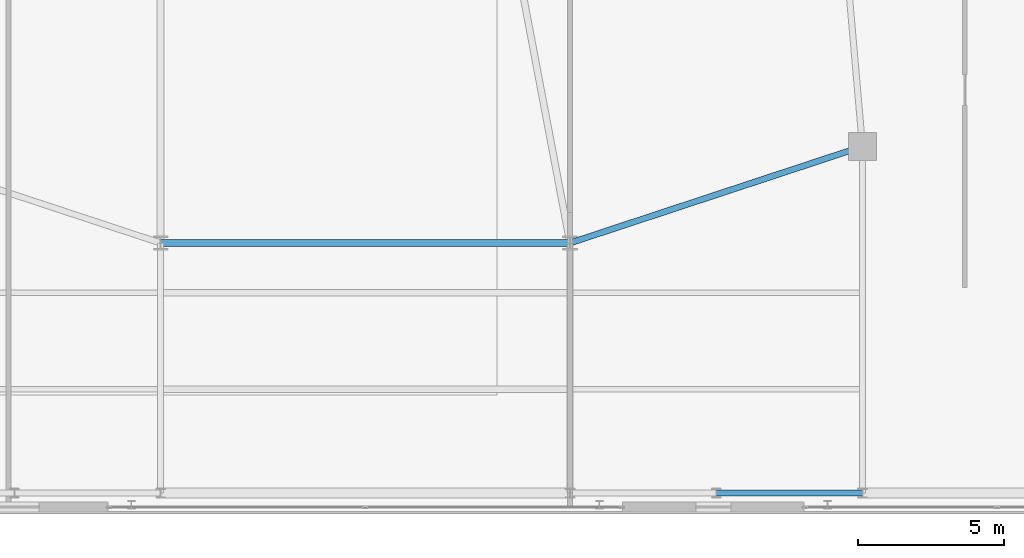
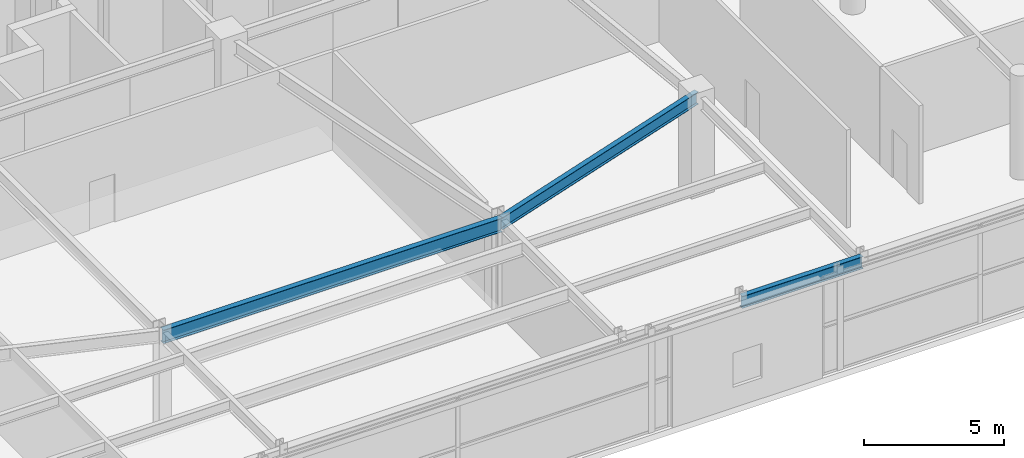
# One storey, part 15 of 26: 3 beams.
"""IFC4 building model written with IfcOpenShell, lengths in metres."""

from ifc_helpers import new_model, si_unit, direction, frame, origin, origin_2d, place, context, subcontext, project, spatial, i_section, extrude, source, transform, mapped, material, material_profile, profile_set, type_object, element, save


model = new_model("IFC4")

# Units and contexts
model_context = context("Model", 3, precision=1e-05, world=origin(), true_north=direction((0.0, 1.0)))
body_context = subcontext(model_context, "Body", "Model", "MODEL_VIEW")
ifc_project = project(units=[si_unit("LENGTHUNIT", "METRE"), si_unit("AREAUNIT", "SQUARE_METRE"), si_unit("VOLUMEUNIT", "CUBIC_METRE"), si_unit("PLANEANGLEUNIT", "RADIAN"), si_unit("MASSUNIT", "GRAM", prefix="KILO")], contexts=[model_context])

# Site, building, storey
site_placement = place(None, origin())
site = spatial("IfcSite", under=ifc_project, at=site_placement, CompositionType="ELEMENT")
building_placement = place(site_placement, origin())
building = spatial("IfcBuilding", under=site, at=building_placement, Name="Taldren Reach Tower", CompositionType="ELEMENT")
storey_placement = place(building_placement, frame((0.0, 0.0, 8.39990234375)))
storey = spatial("IfcBuildingStorey", under=building, at=storey_placement, Name="L02", CompositionType="ELEMENT", Elevation=8.39990234375)

# Beams
ifc_material = material(Name="Steel Gr 350 (350PLUS)", Category="steel")
ifc_material_profile_1 = material_profile(ifc_material, i_section(OverallWidth=0.208984375, OverallDepth=0.532958984375, WebThickness=0.01025390625, FlangeThickness=0.015625, at=origin_2d()), Name="530UB92.4")
ifc_profile_set_1 = profile_set([ifc_material_profile_1], Name="Steel Gr 350 (350PLUS)")
beam_type_1 = type_object("IfcBeamType", Name="BM-UB530A", PredefinedType="BEAM", material=ifc_profile_set_1)
shared_shape_1 = source(origin(), body_context, "Body", "SweptSolid", [
    extrude(i_section(OverallWidth=0.208984375, OverallDepth=0.532958984375, WebThickness=0.01025390625, FlangeThickness=0.015625, at=origin_2d()), origin(), (0.0, 0.0, 1.0), 10.530517578125),
])
beam_1_placement = place(storey_placement, frame((42.0, 9.199951171875, 4.023681640625), z_axis=(0.949627269203, 0.313381635689, 0.0), x_axis=(-0.313381635689, 0.949627269203, 0.0)))
element("IfcBeam", 1, at=beam_1_placement, inside=storey, type_object=beam_type_1, Name="Core-spine girder L02-SP12", PredefinedType="BEAM", context=body_context, shape_type="MappedRepresentation", body=[
    mapped(shared_shape_1, transform((0.0, 0.0, 0.0), scale=1.0)),
])
ifc_material_profile_2 = material_profile(ifc_material, i_section(OverallWidth=0.22802734375, OverallDepth=0.60205078125, WebThickness=0.010498046875, FlangeThickness=0.014892578125, at=origin_2d()), Name="610UB101")
ifc_profile_set_2 = profile_set([ifc_material_profile_2], Name="Steel Gr 350 (350PLUS)")
beam_type_2 = type_object("IfcBeamType", Name="BM-UB610B", PredefinedType="BEAM", material=ifc_profile_set_2)
shared_shape_2 = source(origin(), body_context, "Body", "SweptSolid", [
    extrude(i_section(OverallWidth=0.22802734375, OverallDepth=0.60205078125, WebThickness=0.010498046875, FlangeThickness=0.014892578125, at=origin_2d()), origin(), (0.0, 0.0, 1.0), 14.0),
])
beam_2_placement = place(storey_placement, frame((28.0, 9.199951171875, 3.989013671875), z_axis=(1.0, 0.0, 0.0), x_axis=(0.0, 1.0, 0.0)))
element("IfcBeam", 2, at=beam_2_placement, inside=storey, type_object=beam_type_2, Name="Core-spine girder L02-SP11", PredefinedType="BEAM", context=body_context, shape_type="MappedRepresentation", body=[
    mapped(shared_shape_2, transform((0.0, 0.0, 0.0), scale=1.0)),
])
ifc_material_profile_3 = material_profile(ifc_material, i_section(OverallWidth=0.208984375, OverallDepth=0.528076171875, WebThickness=0.009521484375, FlangeThickness=0.01318359375, at=origin_2d()), Name="530UB82.0")
ifc_profile_set_3 = profile_set([ifc_material_profile_3], Name="Steel Gr 350 (350PLUS)")
beam_type_3 = type_object("IfcBeamType", Name="SP-UB530B", PredefinedType="SPANDREL", material=ifc_profile_set_3)
shared_shape_3 = source(origin(), body_context, "Body", "SweptSolid", [
    extrude(i_section(OverallWidth=0.208984375, OverallDepth=0.528076171875, WebThickness=0.009521484375, FlangeThickness=0.01318359375, at=origin_2d()), origin(), (0.0, 0.0, 1.0), 5.0),
])
beam_3_placement = place(storey_placement, frame((47.0, 0.64990234375, 4.026123046875), z_axis=(1.0, 0.0, 0.0), x_axis=(0.0, 1.0, 0.0)))
element("IfcBeam", 3, at=beam_3_placement, inside=storey, type_object=beam_type_3, Name="Podium beam L02-PD06", PredefinedType="SPANDREL", context=body_context, shape_type="MappedRepresentation", body=[
    mapped(shared_shape_3, transform((0.0, 0.0, 0.0), scale=1.0)),
])

save(model, "model.ifc")
